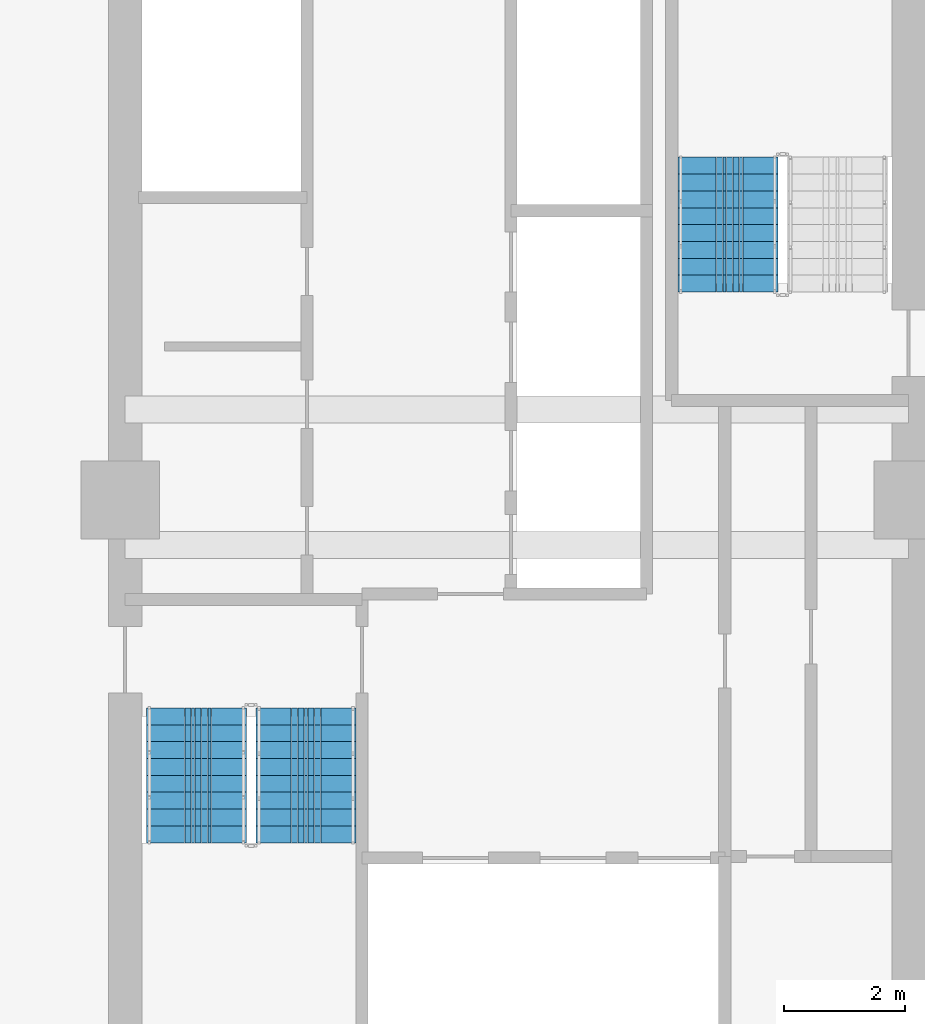
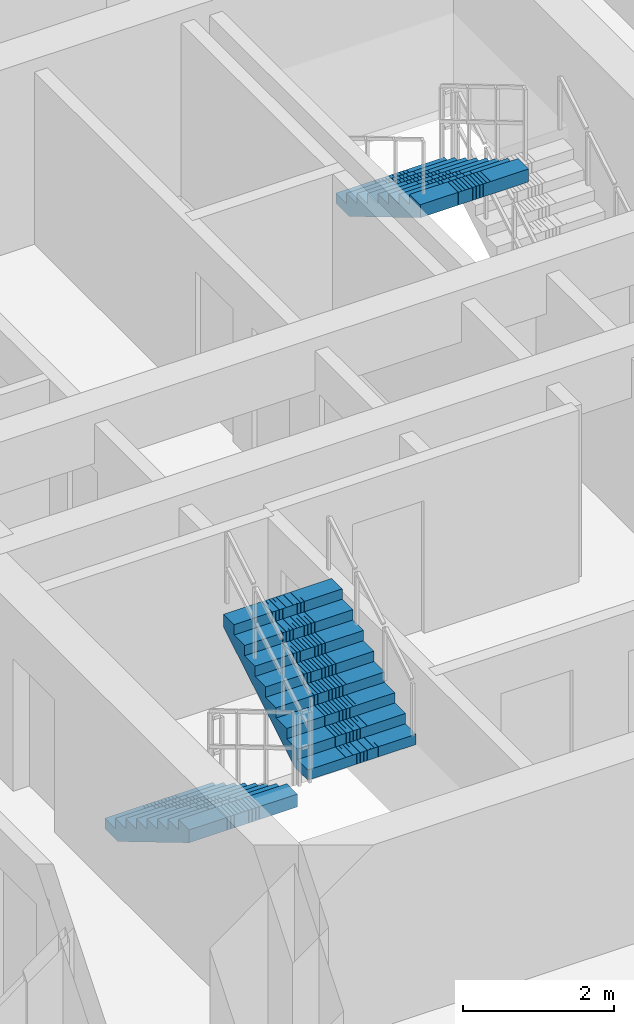
# One storey, part 8 of 13: 3 stair flights, 2 elements without a shape of their own.
"""IFC4 building model written with IfcOpenShell, lengths in metres."""

from ifc_helpers import new_model, si_unit, direction, frame, origin, place, context, subcontext, project, spatial, polyline, outline, extrude, material, type_object, element, aggregate, save


model = new_model("IFC4")

# Units and contexts
model_context = context("Model", 3, precision=1e-05, world=origin(), true_north=direction((0.0, 1.0)))
body_context = subcontext(model_context, "Body", "Model", "MODEL_VIEW")
ifc_project = project(units=[si_unit("LENGTHUNIT", "METRE"), si_unit("AREAUNIT", "SQUARE_METRE"), si_unit("VOLUMEUNIT", "CUBIC_METRE"), si_unit("PLANEANGLEUNIT", "RADIAN"), si_unit("MASSUNIT", "GRAM", prefix="KILO")], contexts=[model_context])

# Site, building, storey
site_placement = place(None, origin())
site = spatial("IfcSite", under=ifc_project, at=site_placement, CompositionType="ELEMENT")
building_placement = place(site_placement, origin())
building = spatial("IfcBuilding", under=site, at=building_placement, Name="Saelheon Loggia Tower", CompositionType="ELEMENT")
storey_placement = place(building_placement, frame((0.0, 0.0, 129.75)))
storey = spatial("IfcBuildingStorey", under=building, at=storey_placement, Name="L41", CompositionType="ELEMENT", Elevation=129.75)

# Stair, stair flights
ifc_material = material(Name="Concrete C40/50", Category="concrete")
stair_type = type_object("IfcStairType", Name="Stair_Escape_Core", PredefinedType="HALF_TURN_STAIR", material=ifc_material)
stair_1_placement = place(storey_placement, origin())
stair_1 = element("IfcStair", 1, at=stair_1_placement, inside=storey, type_object=stair_type, Name="L41 Special Escape Stair ST1", PredefinedType="HALF_TURN_STAIR")
stair_flight_type = type_object("IfcStairFlightType", Name="StairFlight_Tower_1660", PredefinedType="STRAIGHT", material=ifc_material)
stair_flight_1_placement = place(storey_placement, frame((32.679931640625, 23.550048828125, 0.0), z_axis=(0.0, 0.0, 1.0), x_axis=(0.0, -1.0, 0.0)))
stair_flight_1 = element("IfcStairFlight", 2, at=stair_flight_1_placement, type_object=stair_flight_type, Name="ST1 flight 1", NumberOfRisers=9, NumberOfTreads=8, PredefinedType="STRAIGHT", RiserHeight=0.166666667, TreadLength=0.28, context=body_context, shape_type="SweptSolid", body=[
    extrude(outline(polyline([(0.0, 0.0), (0.0, 0.166748046875), (0.280029296875, 0.166748046875), (0.280029296875, 0.333251953125), (0.56005859375, 0.333251953125), (0.56005859375, 0.5), (0.840087890625, 0.5), (0.840087890625, 0.666748046875), (1.1201171875, 0.666748046875), (1.1201171875, 0.833251953125), (1.39990234375, 0.833251953125), (1.39990234375, 1.0), (1.679931640625, 1.0), (1.679931640625, 1.166748046875), (1.9599609375, 1.166748046875), (1.9599609375, 1.333251953125), (2.239990234375, 1.333251953125), (2.239990234375, 1.5), (2.239990234375, 1.1240234375), (0.351806640625, 0.0), (0.0, 0.0)])), frame((0.0, -0.2490234375, 0.0), z_axis=(0.0, -1.0, 0.0), x_axis=(1.0, 0.0, 0.0)), (0.0, 0.0, 1.0), 0.5810546875),
    extrude(outline(polyline([(0.0, 0.0), (0.0, 0.166748046875), (0.280029296875, 0.166748046875), (0.280029296875, 0.333251953125), (0.56005859375, 0.333251953125), (0.56005859375, 0.5), (0.840087890625, 0.5), (0.840087890625, 0.666748046875), (1.1201171875, 0.666748046875), (1.1201171875, 0.833251953125), (1.39990234375, 0.833251953125), (1.39990234375, 1.0), (1.679931640625, 1.0), (1.679931640625, 1.166748046875), (1.9599609375, 1.166748046875), (1.9599609375, 1.333251953125), (2.239990234375, 1.333251953125), (2.239990234375, 1.5), (2.239990234375, 1.1240234375), (0.351806640625, 0.0), (0.0, 0.0)])), frame((0.0, -0.194091796875, 0.0), z_axis=(0.0, -1.0, 0.0), x_axis=(1.0, 0.0, 0.0)), (0.0, 0.0, 1.0), 0.0498046875),
    extrude(outline(polyline([(0.0, 0.0), (0.0, 0.166748046875), (0.280029296875, 0.166748046875), (0.280029296875, 0.333251953125), (0.56005859375, 0.333251953125), (0.56005859375, 0.5), (0.840087890625, 0.5), (0.840087890625, 0.666748046875), (1.1201171875, 0.666748046875), (1.1201171875, 0.833251953125), (1.39990234375, 0.833251953125), (1.39990234375, 1.0), (1.679931640625, 1.0), (1.679931640625, 1.166748046875), (1.9599609375, 1.166748046875), (1.9599609375, 1.333251953125), (2.239990234375, 1.333251953125), (2.239990234375, 1.5), (2.239990234375, 1.1240234375), (0.351806640625, 0.0), (0.0, 0.0)])), frame((0.0, -0.139404296875, 0.0), z_axis=(0.0, -1.0, 0.0), x_axis=(1.0, 0.0, 0.0)), (0.0, 0.0, 1.0), 0.0498046875),
    extrude(outline(polyline([(0.0, 0.0), (0.0, 0.166748046875), (0.280029296875, 0.166748046875), (0.280029296875, 0.333251953125), (0.56005859375, 0.333251953125), (0.56005859375, 0.5), (0.840087890625, 0.5), (0.840087890625, 0.666748046875), (1.1201171875, 0.666748046875), (1.1201171875, 0.833251953125), (1.39990234375, 0.833251953125), (1.39990234375, 1.0), (1.679931640625, 1.0), (1.679931640625, 1.166748046875), (1.9599609375, 1.166748046875), (1.9599609375, 1.333251953125), (2.239990234375, 1.333251953125), (2.239990234375, 1.5), (2.239990234375, 1.1240234375), (0.351806640625, 0.0), (0.0, 0.0)])), frame((0.0, -0.084716796875, 0.0), z_axis=(0.0, -1.0, 0.0), x_axis=(1.0, 0.0, 0.0)), (0.0, 0.0, 1.0), 0.0498046875),
    extrude(outline(polyline([(0.0, 0.0), (0.0, 0.166748046875), (0.280029296875, 0.166748046875), (0.280029296875, 0.333251953125), (0.56005859375, 0.333251953125), (0.56005859375, 0.5), (0.840087890625, 0.5), (0.840087890625, 0.666748046875), (1.1201171875, 0.666748046875), (1.1201171875, 0.833251953125), (1.39990234375, 0.833251953125), (1.39990234375, 1.0), (1.679931640625, 1.0), (1.679931640625, 1.166748046875), (1.9599609375, 1.166748046875), (1.9599609375, 1.333251953125), (2.239990234375, 1.333251953125), (2.239990234375, 1.5), (2.239990234375, 1.1240234375), (0.351806640625, 0.0), (0.0, 0.0)])), frame((0.0, -0.02978515625, 0.0), z_axis=(0.0, -1.0, 0.0), x_axis=(1.0, 0.0, 0.0)), (0.0, 0.0, 1.0), 0.0498046875),
    extrude(outline(polyline([(0.0, 0.0), (0.0, 0.166748046875), (0.280029296875, 0.166748046875), (0.280029296875, 0.333251953125), (0.56005859375, 0.333251953125), (0.56005859375, 0.5), (0.840087890625, 0.5), (0.840087890625, 0.666748046875), (1.1201171875, 0.666748046875), (1.1201171875, 0.833251953125), (1.39990234375, 0.833251953125), (1.39990234375, 1.0), (1.679931640625, 1.0), (1.679931640625, 1.166748046875), (1.9599609375, 1.166748046875), (1.9599609375, 1.333251953125), (2.239990234375, 1.333251953125), (2.239990234375, 1.5), (2.239990234375, 1.1240234375), (0.351806640625, 0.0), (0.0, 0.0)])), frame((0.0, 0.02490234375, 0.0), z_axis=(0.0, -1.0, 0.0), x_axis=(1.0, 0.0, 0.0)), (0.0, 0.0, 1.0), 0.0498046875),
    extrude(outline(polyline([(0.0, 0.0), (0.0, 0.166748046875), (0.280029296875, 0.166748046875), (0.280029296875, 0.333251953125), (0.56005859375, 0.333251953125), (0.56005859375, 0.5), (0.840087890625, 0.5), (0.840087890625, 0.666748046875), (1.1201171875, 0.666748046875), (1.1201171875, 0.833251953125), (1.39990234375, 0.833251953125), (1.39990234375, 1.0), (1.679931640625, 1.0), (1.679931640625, 1.166748046875), (1.9599609375, 1.166748046875), (1.9599609375, 1.333251953125), (2.239990234375, 1.333251953125), (2.239990234375, 1.5), (2.239990234375, 1.1240234375), (0.351806640625, 0.0), (0.0, 0.0)])), frame((0.0, 0.07958984375, 0.0), z_axis=(0.0, -1.0, 0.0), x_axis=(1.0, 0.0, 0.0)), (0.0, 0.0, 1.0), 0.0498046875),
    extrude(outline(polyline([(0.0, 0.0), (0.0, 0.166748046875), (0.280029296875, 0.166748046875), (0.280029296875, 0.333251953125), (0.56005859375, 0.333251953125), (0.56005859375, 0.5), (0.840087890625, 0.5), (0.840087890625, 0.666748046875), (1.1201171875, 0.666748046875), (1.1201171875, 0.833251953125), (1.39990234375, 0.833251953125), (1.39990234375, 1.0), (1.679931640625, 1.0), (1.679931640625, 1.166748046875), (1.9599609375, 1.166748046875), (1.9599609375, 1.333251953125), (2.239990234375, 1.333251953125), (2.239990234375, 1.5), (2.239990234375, 1.1240234375), (0.351806640625, 0.0), (0.0, 0.0)])), frame((0.0, 0.134521484375, 0.0), z_axis=(0.0, -1.0, 0.0), x_axis=(1.0, 0.0, 0.0)), (0.0, 0.0, 1.0), 0.0498046875),
    extrude(outline(polyline([(0.0, 0.0), (0.0, 0.166748046875), (0.280029296875, 0.166748046875), (0.280029296875, 0.333251953125), (0.56005859375, 0.333251953125), (0.56005859375, 0.5), (0.840087890625, 0.5), (0.840087890625, 0.666748046875), (1.1201171875, 0.666748046875), (1.1201171875, 0.833251953125), (1.39990234375, 0.833251953125), (1.39990234375, 1.0), (1.679931640625, 1.0), (1.679931640625, 1.166748046875), (1.9599609375, 1.166748046875), (1.9599609375, 1.333251953125), (2.239990234375, 1.333251953125), (2.239990234375, 1.5), (2.239990234375, 1.1240234375), (0.351806640625, 0.0), (0.0, 0.0)])), frame((0.0, 0.189208984375, 0.0), z_axis=(0.0, -1.0, 0.0), x_axis=(1.0, 0.0, 0.0)), (0.0, 0.0, 1.0), 0.0498046875),
    extrude(outline(polyline([(0.0, 0.0), (0.0, 0.166748046875), (0.280029296875, 0.166748046875), (0.280029296875, 0.333251953125), (0.56005859375, 0.333251953125), (0.56005859375, 0.5), (0.840087890625, 0.5), (0.840087890625, 0.666748046875), (1.1201171875, 0.666748046875), (1.1201171875, 0.833251953125), (1.39990234375, 0.833251953125), (1.39990234375, 1.0), (1.679931640625, 1.0), (1.679931640625, 1.166748046875), (1.9599609375, 1.166748046875), (1.9599609375, 1.333251953125), (2.239990234375, 1.333251953125), (2.239990234375, 1.5), (2.239990234375, 1.1240234375), (0.351806640625, 0.0), (0.0, 0.0)])), frame((0.0, 0.243896484375, 0.0), z_axis=(0.0, -1.0, 0.0), x_axis=(1.0, 0.0, 0.0)), (0.0, 0.0, 1.0), 0.0498046875),
    extrude(outline(polyline([(0.0, 0.0), (0.0, 0.166748046875), (0.280029296875, 0.166748046875), (0.280029296875, 0.333251953125), (0.56005859375, 0.333251953125), (0.56005859375, 0.5), (0.840087890625, 0.5), (0.840087890625, 0.666748046875), (1.1201171875, 0.666748046875), (1.1201171875, 0.833251953125), (1.39990234375, 0.833251953125), (1.39990234375, 1.0), (1.679931640625, 1.0), (1.679931640625, 1.166748046875), (1.9599609375, 1.166748046875), (1.9599609375, 1.333251953125), (2.239990234375, 1.333251953125), (2.239990234375, 1.5), (2.239990234375, 1.1240234375), (0.351806640625, 0.0), (0.0, 0.0)])), frame((0.0, 0.830078125, 0.0), z_axis=(0.0, -1.0, 0.0), x_axis=(1.0, 0.0, 0.0)), (0.0, 0.0, 1.0), 0.5810546875),
])
stair_flight_2_placement = place(storey_placement, frame((34.5, 21.31005859375, 1.5), z_axis=(0.0, 0.0, 1.0), x_axis=(0.0, 1.0, 0.0)))
stair_flight_2 = element("IfcStairFlight", 3, at=stair_flight_2_placement, type_object=stair_flight_type, Name="ST1 flight 2", NumberOfRisers=9, NumberOfTreads=8, PredefinedType="STRAIGHT", RiserHeight=0.166666667, TreadLength=0.28, context=body_context, shape_type="SweptSolid", body=[
    extrude(outline(polyline([(0.0, 0.0), (0.0, 0.166748046875), (0.280029296875, 0.166748046875), (0.280029296875, 0.333251953125), (0.56005859375, 0.333251953125), (0.56005859375, 0.5), (0.840087890625, 0.5), (0.840087890625, 0.666748046875), (1.1201171875, 0.666748046875), (1.1201171875, 0.833251953125), (1.39990234375, 0.833251953125), (1.39990234375, 1.0), (1.679931640625, 1.0), (1.679931640625, 1.166748046875), (1.9599609375, 1.166748046875), (1.9599609375, 1.333251953125), (2.239990234375, 1.333251953125), (2.239990234375, 1.5), (2.239990234375, 1.1240234375), (0.351806640625, 0.0), (0.0, 0.0)])), frame((0.0, -0.2490234375, 0.0), z_axis=(0.0, -1.0, 0.0), x_axis=(1.0, 0.0, 0.0)), (0.0, 0.0, 1.0), 0.5810546875),
    extrude(outline(polyline([(0.0, 0.0), (0.0, 0.166748046875), (0.280029296875, 0.166748046875), (0.280029296875, 0.333251953125), (0.56005859375, 0.333251953125), (0.56005859375, 0.5), (0.840087890625, 0.5), (0.840087890625, 0.666748046875), (1.1201171875, 0.666748046875), (1.1201171875, 0.833251953125), (1.39990234375, 0.833251953125), (1.39990234375, 1.0), (1.679931640625, 1.0), (1.679931640625, 1.166748046875), (1.9599609375, 1.166748046875), (1.9599609375, 1.333251953125), (2.239990234375, 1.333251953125), (2.239990234375, 1.5), (2.239990234375, 1.1240234375), (0.351806640625, 0.0), (0.0, 0.0)])), frame((0.0, -0.194091796875, 0.0), z_axis=(0.0, -1.0, 0.0), x_axis=(1.0, 0.0, 0.0)), (0.0, 0.0, 1.0), 0.0498046875),
    extrude(outline(polyline([(0.0, 0.0), (0.0, 0.166748046875), (0.280029296875, 0.166748046875), (0.280029296875, 0.333251953125), (0.56005859375, 0.333251953125), (0.56005859375, 0.5), (0.840087890625, 0.5), (0.840087890625, 0.666748046875), (1.1201171875, 0.666748046875), (1.1201171875, 0.833251953125), (1.39990234375, 0.833251953125), (1.39990234375, 1.0), (1.679931640625, 1.0), (1.679931640625, 1.166748046875), (1.9599609375, 1.166748046875), (1.9599609375, 1.333251953125), (2.239990234375, 1.333251953125), (2.239990234375, 1.5), (2.239990234375, 1.1240234375), (0.351806640625, 0.0), (0.0, 0.0)])), frame((0.0, -0.139404296875, 0.0), z_axis=(0.0, -1.0, 0.0), x_axis=(1.0, 0.0, 0.0)), (0.0, 0.0, 1.0), 0.0498046875),
    extrude(outline(polyline([(0.0, 0.0), (0.0, 0.166748046875), (0.280029296875, 0.166748046875), (0.280029296875, 0.333251953125), (0.56005859375, 0.333251953125), (0.56005859375, 0.5), (0.840087890625, 0.5), (0.840087890625, 0.666748046875), (1.1201171875, 0.666748046875), (1.1201171875, 0.833251953125), (1.39990234375, 0.833251953125), (1.39990234375, 1.0), (1.679931640625, 1.0), (1.679931640625, 1.166748046875), (1.9599609375, 1.166748046875), (1.9599609375, 1.333251953125), (2.239990234375, 1.333251953125), (2.239990234375, 1.5), (2.239990234375, 1.1240234375), (0.351806640625, 0.0), (0.0, 0.0)])), frame((0.0, -0.084716796875, 0.0), z_axis=(0.0, -1.0, 0.0), x_axis=(1.0, 0.0, 0.0)), (0.0, 0.0, 1.0), 0.0498046875),
    extrude(outline(polyline([(0.0, 0.0), (0.0, 0.166748046875), (0.280029296875, 0.166748046875), (0.280029296875, 0.333251953125), (0.56005859375, 0.333251953125), (0.56005859375, 0.5), (0.840087890625, 0.5), (0.840087890625, 0.666748046875), (1.1201171875, 0.666748046875), (1.1201171875, 0.833251953125), (1.39990234375, 0.833251953125), (1.39990234375, 1.0), (1.679931640625, 1.0), (1.679931640625, 1.166748046875), (1.9599609375, 1.166748046875), (1.9599609375, 1.333251953125), (2.239990234375, 1.333251953125), (2.239990234375, 1.5), (2.239990234375, 1.1240234375), (0.351806640625, 0.0), (0.0, 0.0)])), frame((0.0, -0.02978515625, 0.0), z_axis=(0.0, -1.0, 0.0), x_axis=(1.0, 0.0, 0.0)), (0.0, 0.0, 1.0), 0.0498046875),
    extrude(outline(polyline([(0.0, 0.0), (0.0, 0.166748046875), (0.280029296875, 0.166748046875), (0.280029296875, 0.333251953125), (0.56005859375, 0.333251953125), (0.56005859375, 0.5), (0.840087890625, 0.5), (0.840087890625, 0.666748046875), (1.1201171875, 0.666748046875), (1.1201171875, 0.833251953125), (1.39990234375, 0.833251953125), (1.39990234375, 1.0), (1.679931640625, 1.0), (1.679931640625, 1.166748046875), (1.9599609375, 1.166748046875), (1.9599609375, 1.333251953125), (2.239990234375, 1.333251953125), (2.239990234375, 1.5), (2.239990234375, 1.1240234375), (0.351806640625, 0.0), (0.0, 0.0)])), frame((0.0, 0.02490234375, 0.0), z_axis=(0.0, -1.0, 0.0), x_axis=(1.0, 0.0, 0.0)), (0.0, 0.0, 1.0), 0.0498046875),
    extrude(outline(polyline([(0.0, 0.0), (0.0, 0.166748046875), (0.280029296875, 0.166748046875), (0.280029296875, 0.333251953125), (0.56005859375, 0.333251953125), (0.56005859375, 0.5), (0.840087890625, 0.5), (0.840087890625, 0.666748046875), (1.1201171875, 0.666748046875), (1.1201171875, 0.833251953125), (1.39990234375, 0.833251953125), (1.39990234375, 1.0), (1.679931640625, 1.0), (1.679931640625, 1.166748046875), (1.9599609375, 1.166748046875), (1.9599609375, 1.333251953125), (2.239990234375, 1.333251953125), (2.239990234375, 1.5), (2.239990234375, 1.1240234375), (0.351806640625, 0.0), (0.0, 0.0)])), frame((0.0, 0.07958984375, 0.0), z_axis=(0.0, -1.0, 0.0), x_axis=(1.0, 0.0, 0.0)), (0.0, 0.0, 1.0), 0.0498046875),
    extrude(outline(polyline([(0.0, 0.0), (0.0, 0.166748046875), (0.280029296875, 0.166748046875), (0.280029296875, 0.333251953125), (0.56005859375, 0.333251953125), (0.56005859375, 0.5), (0.840087890625, 0.5), (0.840087890625, 0.666748046875), (1.1201171875, 0.666748046875), (1.1201171875, 0.833251953125), (1.39990234375, 0.833251953125), (1.39990234375, 1.0), (1.679931640625, 1.0), (1.679931640625, 1.166748046875), (1.9599609375, 1.166748046875), (1.9599609375, 1.333251953125), (2.239990234375, 1.333251953125), (2.239990234375, 1.5), (2.239990234375, 1.1240234375), (0.351806640625, 0.0), (0.0, 0.0)])), frame((0.0, 0.134521484375, 0.0), z_axis=(0.0, -1.0, 0.0), x_axis=(1.0, 0.0, 0.0)), (0.0, 0.0, 1.0), 0.0498046875),
    extrude(outline(polyline([(0.0, 0.0), (0.0, 0.166748046875), (0.280029296875, 0.166748046875), (0.280029296875, 0.333251953125), (0.56005859375, 0.333251953125), (0.56005859375, 0.5), (0.840087890625, 0.5), (0.840087890625, 0.666748046875), (1.1201171875, 0.666748046875), (1.1201171875, 0.833251953125), (1.39990234375, 0.833251953125), (1.39990234375, 1.0), (1.679931640625, 1.0), (1.679931640625, 1.166748046875), (1.9599609375, 1.166748046875), (1.9599609375, 1.333251953125), (2.239990234375, 1.333251953125), (2.239990234375, 1.5), (2.239990234375, 1.1240234375), (0.351806640625, 0.0), (0.0, 0.0)])), frame((0.0, 0.189208984375, 0.0), z_axis=(0.0, -1.0, 0.0), x_axis=(1.0, 0.0, 0.0)), (0.0, 0.0, 1.0), 0.0498046875),
    extrude(outline(polyline([(0.0, 0.0), (0.0, 0.166748046875), (0.280029296875, 0.166748046875), (0.280029296875, 0.333251953125), (0.56005859375, 0.333251953125), (0.56005859375, 0.5), (0.840087890625, 0.5), (0.840087890625, 0.666748046875), (1.1201171875, 0.666748046875), (1.1201171875, 0.833251953125), (1.39990234375, 0.833251953125), (1.39990234375, 1.0), (1.679931640625, 1.0), (1.679931640625, 1.166748046875), (1.9599609375, 1.166748046875), (1.9599609375, 1.333251953125), (2.239990234375, 1.333251953125), (2.239990234375, 1.5), (2.239990234375, 1.1240234375), (0.351806640625, 0.0), (0.0, 0.0)])), frame((0.0, 0.243896484375, 0.0), z_axis=(0.0, -1.0, 0.0), x_axis=(1.0, 0.0, 0.0)), (0.0, 0.0, 1.0), 0.0498046875),
    extrude(outline(polyline([(0.0, 0.0), (0.0, 0.166748046875), (0.280029296875, 0.166748046875), (0.280029296875, 0.333251953125), (0.56005859375, 0.333251953125), (0.56005859375, 0.5), (0.840087890625, 0.5), (0.840087890625, 0.666748046875), (1.1201171875, 0.666748046875), (1.1201171875, 0.833251953125), (1.39990234375, 0.833251953125), (1.39990234375, 1.0), (1.679931640625, 1.0), (1.679931640625, 1.166748046875), (1.9599609375, 1.166748046875), (1.9599609375, 1.333251953125), (2.239990234375, 1.333251953125), (2.239990234375, 1.5), (2.239990234375, 1.1240234375), (0.351806640625, 0.0), (0.0, 0.0)])), frame((0.0, 0.830078125, 0.0), z_axis=(0.0, -1.0, 0.0), x_axis=(1.0, 0.0, 0.0)), (0.0, 0.0, 1.0), 0.5810546875),
])
aggregate(stair_1, [stair_flight_1, stair_flight_2])

# Stair, stair flight
stair_2_placement = place(storey_placement, origin())
stair_2 = element("IfcStair", 4, at=stair_2_placement, inside=storey, type_object=stair_type, Name="L41 Special Escape Stair ST2", PredefinedType="HALF_TURN_STAIR")
stair_flight_3_placement = place(storey_placement, frame((41.5, 32.68994140625, 1.5), z_axis=(0.0, 0.0, 1.0), x_axis=(0.0, -1.0, 0.0)))
stair_flight_3 = element("IfcStairFlight", 5, at=stair_flight_3_placement, type_object=stair_flight_type, Name="ST2 flight 2", NumberOfRisers=9, NumberOfTreads=8, PredefinedType="STRAIGHT", RiserHeight=0.166666667, TreadLength=0.28, context=body_context, shape_type="SweptSolid", body=[
    extrude(outline(polyline([(0.0, 0.0), (0.0, 0.166748046875), (0.280029296875, 0.166748046875), (0.280029296875, 0.333251953125), (0.56005859375, 0.333251953125), (0.56005859375, 0.5), (0.840087890625, 0.5), (0.840087890625, 0.666748046875), (1.1201171875, 0.666748046875), (1.1201171875, 0.833251953125), (1.39990234375, 0.833251953125), (1.39990234375, 1.0), (1.679931640625, 1.0), (1.679931640625, 1.166748046875), (1.9599609375, 1.166748046875), (1.9599609375, 1.333251953125), (2.239990234375, 1.333251953125), (2.239990234375, 1.5), (2.239990234375, 1.1240234375), (0.351806640625, 0.0), (0.0, 0.0)])), frame((0.0, -0.2490234375, 0.0), z_axis=(0.0, -1.0, 0.0), x_axis=(1.0, 0.0, 0.0)), (0.0, 0.0, 1.0), 0.5810546875),
    extrude(outline(polyline([(0.0, 0.0), (0.0, 0.166748046875), (0.280029296875, 0.166748046875), (0.280029296875, 0.333251953125), (0.56005859375, 0.333251953125), (0.56005859375, 0.5), (0.840087890625, 0.5), (0.840087890625, 0.666748046875), (1.1201171875, 0.666748046875), (1.1201171875, 0.833251953125), (1.39990234375, 0.833251953125), (1.39990234375, 1.0), (1.679931640625, 1.0), (1.679931640625, 1.166748046875), (1.9599609375, 1.166748046875), (1.9599609375, 1.333251953125), (2.239990234375, 1.333251953125), (2.239990234375, 1.5), (2.239990234375, 1.1240234375), (0.351806640625, 0.0), (0.0, 0.0)])), frame((0.0, -0.194091796875, 0.0), z_axis=(0.0, -1.0, 0.0), x_axis=(1.0, 0.0, 0.0)), (0.0, 0.0, 1.0), 0.0498046875),
    extrude(outline(polyline([(0.0, 0.0), (0.0, 0.166748046875), (0.280029296875, 0.166748046875), (0.280029296875, 0.333251953125), (0.56005859375, 0.333251953125), (0.56005859375, 0.5), (0.840087890625, 0.5), (0.840087890625, 0.666748046875), (1.1201171875, 0.666748046875), (1.1201171875, 0.833251953125), (1.39990234375, 0.833251953125), (1.39990234375, 1.0), (1.679931640625, 1.0), (1.679931640625, 1.166748046875), (1.9599609375, 1.166748046875), (1.9599609375, 1.333251953125), (2.239990234375, 1.333251953125), (2.239990234375, 1.5), (2.239990234375, 1.1240234375), (0.351806640625, 0.0), (0.0, 0.0)])), frame((0.0, -0.139404296875, 0.0), z_axis=(0.0, -1.0, 0.0), x_axis=(1.0, 0.0, 0.0)), (0.0, 0.0, 1.0), 0.0498046875),
    extrude(outline(polyline([(0.0, 0.0), (0.0, 0.166748046875), (0.280029296875, 0.166748046875), (0.280029296875, 0.333251953125), (0.56005859375, 0.333251953125), (0.56005859375, 0.5), (0.840087890625, 0.5), (0.840087890625, 0.666748046875), (1.1201171875, 0.666748046875), (1.1201171875, 0.833251953125), (1.39990234375, 0.833251953125), (1.39990234375, 1.0), (1.679931640625, 1.0), (1.679931640625, 1.166748046875), (1.9599609375, 1.166748046875), (1.9599609375, 1.333251953125), (2.239990234375, 1.333251953125), (2.239990234375, 1.5), (2.239990234375, 1.1240234375), (0.351806640625, 0.0), (0.0, 0.0)])), frame((0.0, -0.084716796875, 0.0), z_axis=(0.0, -1.0, 0.0), x_axis=(1.0, 0.0, 0.0)), (0.0, 0.0, 1.0), 0.0498046875),
    extrude(outline(polyline([(0.0, 0.0), (0.0, 0.166748046875), (0.280029296875, 0.166748046875), (0.280029296875, 0.333251953125), (0.56005859375, 0.333251953125), (0.56005859375, 0.5), (0.840087890625, 0.5), (0.840087890625, 0.666748046875), (1.1201171875, 0.666748046875), (1.1201171875, 0.833251953125), (1.39990234375, 0.833251953125), (1.39990234375, 1.0), (1.679931640625, 1.0), (1.679931640625, 1.166748046875), (1.9599609375, 1.166748046875), (1.9599609375, 1.333251953125), (2.239990234375, 1.333251953125), (2.239990234375, 1.5), (2.239990234375, 1.1240234375), (0.351806640625, 0.0), (0.0, 0.0)])), frame((0.0, -0.02978515625, 0.0), z_axis=(0.0, -1.0, 0.0), x_axis=(1.0, 0.0, 0.0)), (0.0, 0.0, 1.0), 0.0498046875),
    extrude(outline(polyline([(0.0, 0.0), (0.0, 0.166748046875), (0.280029296875, 0.166748046875), (0.280029296875, 0.333251953125), (0.56005859375, 0.333251953125), (0.56005859375, 0.5), (0.840087890625, 0.5), (0.840087890625, 0.666748046875), (1.1201171875, 0.666748046875), (1.1201171875, 0.833251953125), (1.39990234375, 0.833251953125), (1.39990234375, 1.0), (1.679931640625, 1.0), (1.679931640625, 1.166748046875), (1.9599609375, 1.166748046875), (1.9599609375, 1.333251953125), (2.239990234375, 1.333251953125), (2.239990234375, 1.5), (2.239990234375, 1.1240234375), (0.351806640625, 0.0), (0.0, 0.0)])), frame((0.0, 0.02490234375, 0.0), z_axis=(0.0, -1.0, 0.0), x_axis=(1.0, 0.0, 0.0)), (0.0, 0.0, 1.0), 0.0498046875),
    extrude(outline(polyline([(0.0, 0.0), (0.0, 0.166748046875), (0.280029296875, 0.166748046875), (0.280029296875, 0.333251953125), (0.56005859375, 0.333251953125), (0.56005859375, 0.5), (0.840087890625, 0.5), (0.840087890625, 0.666748046875), (1.1201171875, 0.666748046875), (1.1201171875, 0.833251953125), (1.39990234375, 0.833251953125), (1.39990234375, 1.0), (1.679931640625, 1.0), (1.679931640625, 1.166748046875), (1.9599609375, 1.166748046875), (1.9599609375, 1.333251953125), (2.239990234375, 1.333251953125), (2.239990234375, 1.5), (2.239990234375, 1.1240234375), (0.351806640625, 0.0), (0.0, 0.0)])), frame((0.0, 0.07958984375, 0.0), z_axis=(0.0, -1.0, 0.0), x_axis=(1.0, 0.0, 0.0)), (0.0, 0.0, 1.0), 0.0498046875),
    extrude(outline(polyline([(0.0, 0.0), (0.0, 0.166748046875), (0.280029296875, 0.166748046875), (0.280029296875, 0.333251953125), (0.56005859375, 0.333251953125), (0.56005859375, 0.5), (0.840087890625, 0.5), (0.840087890625, 0.666748046875), (1.1201171875, 0.666748046875), (1.1201171875, 0.833251953125), (1.39990234375, 0.833251953125), (1.39990234375, 1.0), (1.679931640625, 1.0), (1.679931640625, 1.166748046875), (1.9599609375, 1.166748046875), (1.9599609375, 1.333251953125), (2.239990234375, 1.333251953125), (2.239990234375, 1.5), (2.239990234375, 1.1240234375), (0.351806640625, 0.0), (0.0, 0.0)])), frame((0.0, 0.134521484375, 0.0), z_axis=(0.0, -1.0, 0.0), x_axis=(1.0, 0.0, 0.0)), (0.0, 0.0, 1.0), 0.0498046875),
    extrude(outline(polyline([(0.0, 0.0), (0.0, 0.166748046875), (0.280029296875, 0.166748046875), (0.280029296875, 0.333251953125), (0.56005859375, 0.333251953125), (0.56005859375, 0.5), (0.840087890625, 0.5), (0.840087890625, 0.666748046875), (1.1201171875, 0.666748046875), (1.1201171875, 0.833251953125), (1.39990234375, 0.833251953125), (1.39990234375, 1.0), (1.679931640625, 1.0), (1.679931640625, 1.166748046875), (1.9599609375, 1.166748046875), (1.9599609375, 1.333251953125), (2.239990234375, 1.333251953125), (2.239990234375, 1.5), (2.239990234375, 1.1240234375), (0.351806640625, 0.0), (0.0, 0.0)])), frame((0.0, 0.189208984375, 0.0), z_axis=(0.0, -1.0, 0.0), x_axis=(1.0, 0.0, 0.0)), (0.0, 0.0, 1.0), 0.0498046875),
    extrude(outline(polyline([(0.0, 0.0), (0.0, 0.166748046875), (0.280029296875, 0.166748046875), (0.280029296875, 0.333251953125), (0.56005859375, 0.333251953125), (0.56005859375, 0.5), (0.840087890625, 0.5), (0.840087890625, 0.666748046875), (1.1201171875, 0.666748046875), (1.1201171875, 0.833251953125), (1.39990234375, 0.833251953125), (1.39990234375, 1.0), (1.679931640625, 1.0), (1.679931640625, 1.166748046875), (1.9599609375, 1.166748046875), (1.9599609375, 1.333251953125), (2.239990234375, 1.333251953125), (2.239990234375, 1.5), (2.239990234375, 1.1240234375), (0.351806640625, 0.0), (0.0, 0.0)])), frame((0.0, 0.243896484375, 0.0), z_axis=(0.0, -1.0, 0.0), x_axis=(1.0, 0.0, 0.0)), (0.0, 0.0, 1.0), 0.0498046875),
    extrude(outline(polyline([(0.0, 0.0), (0.0, 0.166748046875), (0.280029296875, 0.166748046875), (0.280029296875, 0.333251953125), (0.56005859375, 0.333251953125), (0.56005859375, 0.5), (0.840087890625, 0.5), (0.840087890625, 0.666748046875), (1.1201171875, 0.666748046875), (1.1201171875, 0.833251953125), (1.39990234375, 0.833251953125), (1.39990234375, 1.0), (1.679931640625, 1.0), (1.679931640625, 1.166748046875), (1.9599609375, 1.166748046875), (1.9599609375, 1.333251953125), (2.239990234375, 1.333251953125), (2.239990234375, 1.5), (2.239990234375, 1.1240234375), (0.351806640625, 0.0), (0.0, 0.0)])), frame((0.0, 0.830078125, 0.0), z_axis=(0.0, -1.0, 0.0), x_axis=(1.0, 0.0, 0.0)), (0.0, 0.0, 1.0), 0.5810546875),
])
aggregate(stair_2, [stair_flight_3])

save(model, "model.ifc")
